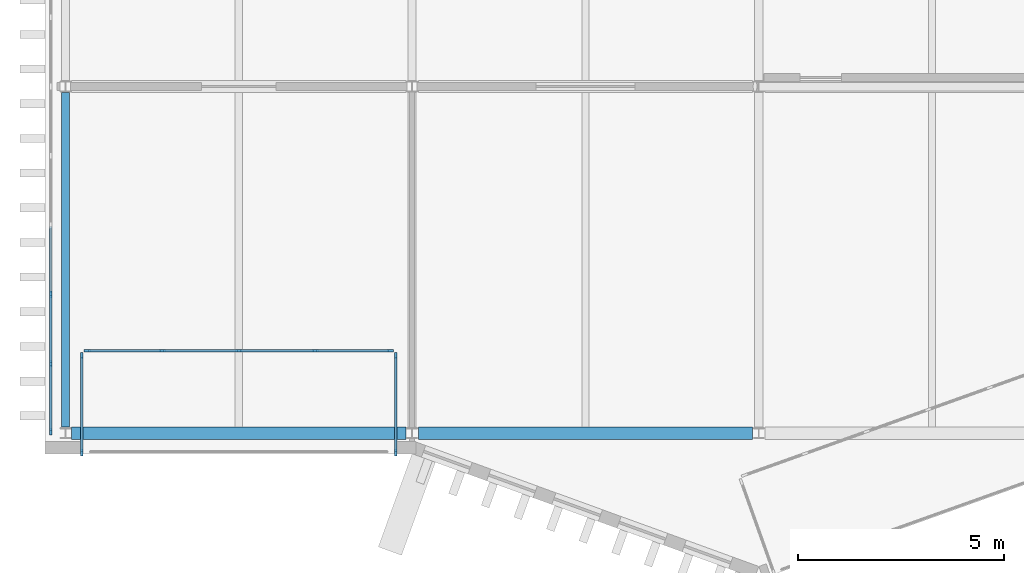
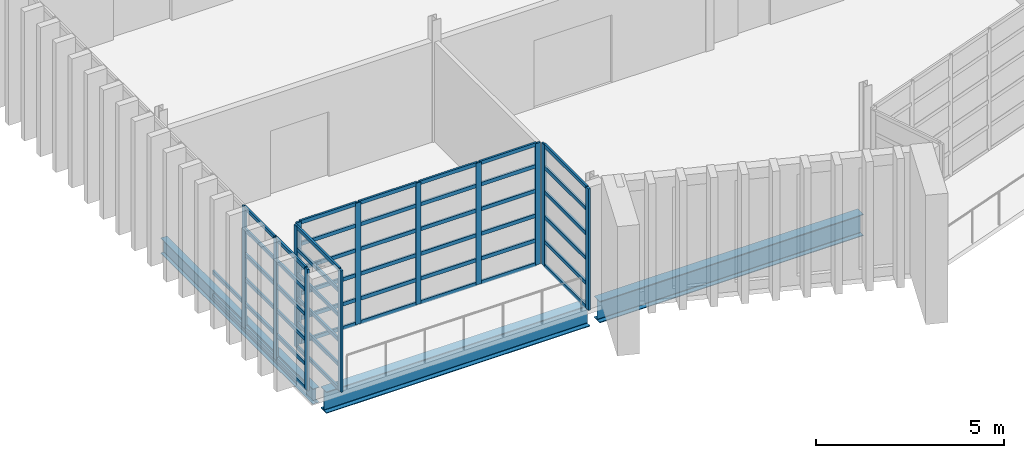
# One storey, part 13 of 88: 62 members, 3 beams, 4 elements without a shape of their own.
"""IFC4 building model written with IfcOpenShell, lengths in metres."""

from ifc_helpers import new_model, si_unit, direction, frame, origin, origin_2d, place, context, subcontext, project, spatial, rectangle, i_section, extrude, material, layer, layer_set, material_profile, profile_set, type_object, element, aggregate, save


model = new_model("IFC4")

# Units and contexts
model_context = context("Model", 3, precision=1e-05, world=origin(), true_north=direction((0.0, 1.0)))
body_context = subcontext(model_context, "Body", "Model", "MODEL_VIEW")
ifc_project = project(units=[si_unit("LENGTHUNIT", "METRE"), si_unit("AREAUNIT", "SQUARE_METRE"), si_unit("VOLUMEUNIT", "CUBIC_METRE"), si_unit("PLANEANGLEUNIT", "RADIAN"), si_unit("MASSUNIT", "GRAM", prefix="KILO")], contexts=[model_context])

# Site, building, storey
site_placement = place(None, origin())
site = spatial("IfcSite", under=ifc_project, at=site_placement, CompositionType="ELEMENT")
building_placement = place(site_placement, origin())
building = spatial("IfcBuilding", under=site, at=building_placement, Name="Cresset Court Congress Hotel", CompositionType="ELEMENT")
storey_placement = place(building_placement, frame((0.0, 0.0, 14.39990234375)))
storey = spatial("IfcBuildingStorey", under=building, at=storey_placement, Name="L03", CompositionType="ELEMENT", Elevation=14.39990234375)

# Curtain wall, members
ifc_material_1 = material(Name="Aluminium frame with double glazing", Category="aluminium")
ifc_layer = layer(ifc_material_1, 0.199951171875)
ifc_layer_set = layer_set([ifc_layer], Name="Glazed box curtain wall 1680 module")
curtain_wall_type = type_object("IfcCurtainWallType", Name="Glazed box curtain wall 1680 module", PredefinedType="NOTDEFINED", material=ifc_layer_set)
curtain_wall_1_placement = place(storey_placement, origin())
curtain_wall_1 = element("IfcCurtainWall", 1, at=curtain_wall_1_placement, inside=storey, type_object=curtain_wall_type, Name="Glazed box S0302 front", PredefinedType="NOTDEFINED")
ifc_material_2 = material(Name="Aluminium", Category="aluminium")
ifc_material_profile_1 = material_profile(ifc_material_2, rectangle(XDim=0.06005859375, YDim=0.159912109375, at=origin_2d()), Name="Box mullion 60x160")
ifc_profile_set_1 = profile_set([ifc_material_profile_1], Name="Aluminium")
member_type_1 = type_object("IfcMemberType", Name="Box mullion 60x160", PredefinedType="MULLION", material=ifc_profile_set_1)
member_1_placement = place(storey_placement, frame((8.929931640625, 2.0, 0.0), z_axis=(0.0, 0.0, 1.0), x_axis=(0.0, 1.0, 0.0)))
member_1 = element("IfcMember", 2, at=member_1_placement, type_object=member_type_1, Name="B-X1 mullion 1", PredefinedType="MULLION", context=body_context, shape_type="SweptSolid", body=[
    extrude(rectangle(XDim=0.06005859375, YDim=0.159912109375, at=origin_2d()), origin(), (0.0, 0.0, 1.0), 3.9501953125),
])
member_2_placement = place(storey_placement, frame((10.75, 2.0, 0.0), z_axis=(0.0, 0.0, 1.0), x_axis=(0.0, 1.0, 0.0)))
member_2 = element("IfcMember", 3, at=member_2_placement, type_object=member_type_1, Name="B-X1 mullion 2", PredefinedType="MULLION", context=body_context, shape_type="SweptSolid", body=[
    extrude(rectangle(XDim=0.06005859375, YDim=0.159912109375, at=origin_2d()), origin(), (0.0, 0.0, 1.0), 3.9501953125),
])
member_3_placement = place(storey_placement, frame((12.60009765625, 2.0, 0.0), z_axis=(0.0, 0.0, 1.0), x_axis=(0.0, 1.0, 0.0)))
member_3 = element("IfcMember", 4, at=member_3_placement, type_object=member_type_1, Name="B-X1 mullion 3", PredefinedType="MULLION", context=body_context, shape_type="SweptSolid", body=[
    extrude(rectangle(XDim=0.06005859375, YDim=0.159912109375, at=origin_2d()), origin(), (0.0, 0.0, 1.0), 3.9501953125),
])
member_4_placement = place(storey_placement, frame((14.449951171875, 2.0, 0.0), z_axis=(0.0, 0.0, 1.0), x_axis=(0.0, 1.0, 0.0)))
member_4 = element("IfcMember", 5, at=member_4_placement, type_object=member_type_1, Name="B-X1 mullion 4", PredefinedType="MULLION", context=body_context, shape_type="SweptSolid", body=[
    extrude(rectangle(XDim=0.06005859375, YDim=0.159912109375, at=origin_2d()), origin(), (0.0, 0.0, 1.0), 3.9501953125),
])
member_5_placement = place(storey_placement, frame((16.27001953125, 2.0, 0.0), z_axis=(0.0, 0.0, 1.0), x_axis=(0.0, 1.0, 0.0)))
member_5 = element("IfcMember", 6, at=member_5_placement, type_object=member_type_1, Name="B-X1 mullion 5", PredefinedType="MULLION", context=body_context, shape_type="SweptSolid", body=[
    extrude(rectangle(XDim=0.06005859375, YDim=0.159912109375, at=origin_2d()), origin(), (0.0, 0.0, 1.0), 3.9501953125),
])

curtain_wall_2_placement = place(storey_placement, origin())
curtain_wall_2 = element("IfcCurtainWall", 7, at=curtain_wall_2_placement, inside=storey, type_object=curtain_wall_type, Name="Glazed box S0302 side", PredefinedType="NOTDEFINED")
member_6_placement = place(storey_placement, frame((8.800048828125, -0.469970703125, 0.0), z_axis=(0.0, 0.0, 1.0), x_axis=(-1.0, 0.0, 0.0)))
member_6 = element("IfcMember", 8, at=member_6_placement, type_object=member_type_1, Name="B-X1 mullion 1", PredefinedType="MULLION", context=body_context, shape_type="SweptSolid", body=[
    extrude(rectangle(XDim=0.06005859375, YDim=0.159912109375, at=origin_2d()), origin(), (0.0, 0.0, 1.0), 3.9501953125),
])
member_7_placement = place(storey_placement, frame((8.800048828125, 1.8701171875, 0.0), z_axis=(0.0, 0.0, 1.0), x_axis=(-1.0, 0.0, 0.0)))
member_7 = element("IfcMember", 9, at=member_7_placement, type_object=member_type_1, Name="B-X1 mullion 2", PredefinedType="MULLION", context=body_context, shape_type="SweptSolid", body=[
    extrude(rectangle(XDim=0.06005859375, YDim=0.159912109375, at=origin_2d()), origin(), (0.0, 0.0, 1.0), 3.9501953125),
])

curtain_wall_3_placement = place(storey_placement, origin())
curtain_wall_3 = element("IfcCurtainWall", 10, at=curtain_wall_3_placement, inside=storey, type_object=curtain_wall_type, Name="Glazed box S0302 side", PredefinedType="NOTDEFINED")
member_8_placement = place(storey_placement, frame((16.39990234375, -0.469970703125, 0.0), z_axis=(0.0, 0.0, 1.0), x_axis=(-1.0, 0.0, 0.0)))
member_8 = element("IfcMember", 11, at=member_8_placement, type_object=member_type_1, Name="B-X1 mullion 1", PredefinedType="MULLION", context=body_context, shape_type="SweptSolid", body=[
    extrude(rectangle(XDim=0.06005859375, YDim=0.159912109375, at=origin_2d()), origin(), (0.0, 0.0, 1.0), 3.9501953125),
])
member_9_placement = place(storey_placement, frame((16.39990234375, 1.8701171875, 0.0), z_axis=(0.0, 0.0, 1.0), x_axis=(-1.0, 0.0, 0.0)))
member_9 = element("IfcMember", 12, at=member_9_placement, type_object=member_type_1, Name="B-X1 mullion 2", PredefinedType="MULLION", context=body_context, shape_type="SweptSolid", body=[
    extrude(rectangle(XDim=0.06005859375, YDim=0.159912109375, at=origin_2d()), origin(), (0.0, 0.0, 1.0), 3.9501953125),
])

curtain_wall_4_placement = place(storey_placement, origin())
curtain_wall_4 = element("IfcCurtainWall", 13, at=curtain_wall_4_placement, inside=storey, type_object=curtain_wall_type, Name="Foyer glazed front L03", PredefinedType="NOTDEFINED")
member_10_placement = place(storey_placement, frame((8.050048828125, 0.030029296875, 0.0), z_axis=(0.0, 0.0, 1.0), x_axis=(-1.0, 0.0, 0.0)))
member_10 = element("IfcMember", 14, at=member_10_placement, type_object=member_type_1, Name="B-X1 mullion 1", PredefinedType="MULLION", context=body_context, shape_type="SweptSolid", body=[
    extrude(rectangle(XDim=0.06005859375, YDim=0.159912109375, at=origin_2d()), origin(), (0.0, 0.0, 1.0), 3.9501953125),
])
member_11_placement = place(storey_placement, frame((8.050048828125, 1.679931640625, 0.0), z_axis=(0.0, 0.0, 1.0), x_axis=(-1.0, 0.0, 0.0)))
member_11 = element("IfcMember", 15, at=member_11_placement, type_object=member_type_1, Name="B-X1 mullion 2", PredefinedType="MULLION", context=body_context, shape_type="SweptSolid", body=[
    extrude(rectangle(XDim=0.06005859375, YDim=0.159912109375, at=origin_2d()), origin(), (0.0, 0.0, 1.0), 3.9501953125),
])
member_12_placement = place(storey_placement, frame((8.050048828125, 3.360107421875, 0.0), z_axis=(0.0, 0.0, 1.0), x_axis=(-1.0, 0.0, 0.0)))
member_12 = element("IfcMember", 16, at=member_12_placement, type_object=member_type_1, Name="B-X1 mullion 3", PredefinedType="MULLION", context=body_context, shape_type="SweptSolid", body=[
    extrude(rectangle(XDim=0.06005859375, YDim=0.159912109375, at=origin_2d()), origin(), (0.0, 0.0, 1.0), 3.9501953125),
])

# Member
ifc_material_3 = material(Name="Aluminium", Category="aluminium")
ifc_material_profile_2 = material_profile(ifc_material_3, rectangle(XDim=0.06005859375, YDim=0.1201171875, at=origin_2d()), Name="Box transom 60x120")
ifc_profile_set_2 = profile_set([ifc_material_profile_2], Name="Aluminium")
member_type_2 = type_object("IfcMemberType", Name="Box transom 60x120", PredefinedType="USERDEFINED", material=ifc_profile_set_2)
member_13_placement = place(storey_placement, frame((8.9599609375, 2.0, 0.030029296875), z_axis=(1.0, 0.0, 0.0), x_axis=(0.0, 1.0, 0.0)))
member_13 = element("IfcMember", 17, at=member_13_placement, type_object=member_type_2, Name="B-X1 transom 1.1", ObjectType="TRANSOM", PredefinedType="USERDEFINED", context=body_context, shape_type="SweptSolid", body=[
    extrude(rectangle(XDim=0.06005859375, YDim=0.1201171875, at=origin_2d()), origin(), (0.0, 0.0, 1.0), 1.760009765625),
])

member_14_placement = place(storey_placement, frame((8.9599609375, 2.0, 0.80517578125), z_axis=(1.0, 0.0, 0.0), x_axis=(0.0, 1.0, 0.0)))
member_14 = element("IfcMember", 18, at=member_14_placement, type_object=member_type_2, Name="B-X1 transom 1.2", ObjectType="TRANSOM", PredefinedType="USERDEFINED", context=body_context, shape_type="SweptSolid", body=[
    extrude(rectangle(XDim=0.06005859375, YDim=0.1201171875, at=origin_2d()), origin(), (0.0, 0.0, 1.0), 1.760009765625),
])

member_15_placement = place(storey_placement, frame((8.9599609375, 2.0, 1.610107421875), z_axis=(1.0, 0.0, 0.0), x_axis=(0.0, 1.0, 0.0)))
member_15 = element("IfcMember", 19, at=member_15_placement, type_object=member_type_2, Name="B-X1 transom 1.3", ObjectType="TRANSOM", PredefinedType="USERDEFINED", context=body_context, shape_type="SweptSolid", body=[
    extrude(rectangle(XDim=0.06005859375, YDim=0.1201171875, at=origin_2d()), origin(), (0.0, 0.0, 1.0), 1.760009765625),
])

member_16_placement = place(storey_placement, frame((8.9599609375, 2.0, 2.4150390625), z_axis=(1.0, 0.0, 0.0), x_axis=(0.0, 1.0, 0.0)))
member_16 = element("IfcMember", 20, at=member_16_placement, type_object=member_type_2, Name="B-X1 transom 1.4", ObjectType="TRANSOM", PredefinedType="USERDEFINED", context=body_context, shape_type="SweptSolid", body=[
    extrude(rectangle(XDim=0.06005859375, YDim=0.1201171875, at=origin_2d()), origin(), (0.0, 0.0, 1.0), 1.760009765625),
])

member_17_placement = place(storey_placement, frame((8.9599609375, 2.0, 3.22021484375), z_axis=(1.0, 0.0, 0.0), x_axis=(0.0, 1.0, 0.0)))
member_17 = element("IfcMember", 21, at=member_17_placement, type_object=member_type_2, Name="B-X1 transom 1.5", ObjectType="TRANSOM", PredefinedType="USERDEFINED", context=body_context, shape_type="SweptSolid", body=[
    extrude(rectangle(XDim=0.06005859375, YDim=0.1201171875, at=origin_2d()), origin(), (0.0, 0.0, 1.0), 1.760009765625),
])

member_18_placement = place(storey_placement, frame((8.9599609375, 2.0, 3.920166015625), z_axis=(1.0, 0.0, 0.0), x_axis=(0.0, 1.0, 0.0)))
member_18 = element("IfcMember", 22, at=member_18_placement, type_object=member_type_2, Name="B-X1 transom 1.6", ObjectType="TRANSOM", PredefinedType="USERDEFINED", context=body_context, shape_type="SweptSolid", body=[
    extrude(rectangle(XDim=0.06005859375, YDim=0.1201171875, at=origin_2d()), origin(), (0.0, 0.0, 1.0), 1.760009765625),
])

member_19_placement = place(storey_placement, frame((10.780029296875, 2.0, 0.030029296875), z_axis=(1.0, 0.0, 0.0), x_axis=(0.0, 1.0, 0.0)))
member_19 = element("IfcMember", 23, at=member_19_placement, type_object=member_type_2, Name="B-X1 transom 2.1", ObjectType="TRANSOM", PredefinedType="USERDEFINED", context=body_context, shape_type="SweptSolid", body=[
    extrude(rectangle(XDim=0.06005859375, YDim=0.1201171875, at=origin_2d()), origin(), (0.0, 0.0, 1.0), 1.7900390625),
])

member_20_placement = place(storey_placement, frame((10.780029296875, 2.0, 0.80517578125), z_axis=(1.0, 0.0, 0.0), x_axis=(0.0, 1.0, 0.0)))
member_20 = element("IfcMember", 24, at=member_20_placement, type_object=member_type_2, Name="B-X1 transom 2.2", ObjectType="TRANSOM", PredefinedType="USERDEFINED", context=body_context, shape_type="SweptSolid", body=[
    extrude(rectangle(XDim=0.06005859375, YDim=0.1201171875, at=origin_2d()), origin(), (0.0, 0.0, 1.0), 1.7900390625),
])

member_21_placement = place(storey_placement, frame((10.780029296875, 2.0, 1.610107421875), z_axis=(1.0, 0.0, 0.0), x_axis=(0.0, 1.0, 0.0)))
member_21 = element("IfcMember", 25, at=member_21_placement, type_object=member_type_2, Name="B-X1 transom 2.3", ObjectType="TRANSOM", PredefinedType="USERDEFINED", context=body_context, shape_type="SweptSolid", body=[
    extrude(rectangle(XDim=0.06005859375, YDim=0.1201171875, at=origin_2d()), origin(), (0.0, 0.0, 1.0), 1.7900390625),
])

member_22_placement = place(storey_placement, frame((10.780029296875, 2.0, 2.4150390625), z_axis=(1.0, 0.0, 0.0), x_axis=(0.0, 1.0, 0.0)))
member_22 = element("IfcMember", 26, at=member_22_placement, type_object=member_type_2, Name="B-X1 transom 2.4", ObjectType="TRANSOM", PredefinedType="USERDEFINED", context=body_context, shape_type="SweptSolid", body=[
    extrude(rectangle(XDim=0.06005859375, YDim=0.1201171875, at=origin_2d()), origin(), (0.0, 0.0, 1.0), 1.7900390625),
])

member_23_placement = place(storey_placement, frame((10.780029296875, 2.0, 3.22021484375), z_axis=(1.0, 0.0, 0.0), x_axis=(0.0, 1.0, 0.0)))
member_23 = element("IfcMember", 27, at=member_23_placement, type_object=member_type_2, Name="B-X1 transom 2.5", ObjectType="TRANSOM", PredefinedType="USERDEFINED", context=body_context, shape_type="SweptSolid", body=[
    extrude(rectangle(XDim=0.06005859375, YDim=0.1201171875, at=origin_2d()), origin(), (0.0, 0.0, 1.0), 1.7900390625),
])

member_24_placement = place(storey_placement, frame((10.780029296875, 2.0, 3.920166015625), z_axis=(1.0, 0.0, 0.0), x_axis=(0.0, 1.0, 0.0)))
member_24 = element("IfcMember", 28, at=member_24_placement, type_object=member_type_2, Name="B-X1 transom 2.6", ObjectType="TRANSOM", PredefinedType="USERDEFINED", context=body_context, shape_type="SweptSolid", body=[
    extrude(rectangle(XDim=0.06005859375, YDim=0.1201171875, at=origin_2d()), origin(), (0.0, 0.0, 1.0), 1.7900390625),
])

member_25_placement = place(storey_placement, frame((12.6298828125, 2.0, 0.030029296875), z_axis=(1.0, 0.0, 0.0), x_axis=(0.0, 1.0, 0.0)))
member_25 = element("IfcMember", 29, at=member_25_placement, type_object=member_type_2, Name="B-X1 transom 3.1", ObjectType="TRANSOM", PredefinedType="USERDEFINED", context=body_context, shape_type="SweptSolid", body=[
    extrude(rectangle(XDim=0.06005859375, YDim=0.1201171875, at=origin_2d()), origin(), (0.0, 0.0, 1.0), 1.7900390625),
])

member_26_placement = place(storey_placement, frame((12.6298828125, 2.0, 0.80517578125), z_axis=(1.0, 0.0, 0.0), x_axis=(0.0, 1.0, 0.0)))
member_26 = element("IfcMember", 30, at=member_26_placement, type_object=member_type_2, Name="B-X1 transom 3.2", ObjectType="TRANSOM", PredefinedType="USERDEFINED", context=body_context, shape_type="SweptSolid", body=[
    extrude(rectangle(XDim=0.06005859375, YDim=0.1201171875, at=origin_2d()), origin(), (0.0, 0.0, 1.0), 1.7900390625),
])

member_27_placement = place(storey_placement, frame((12.6298828125, 2.0, 1.610107421875), z_axis=(1.0, 0.0, 0.0), x_axis=(0.0, 1.0, 0.0)))
member_27 = element("IfcMember", 31, at=member_27_placement, type_object=member_type_2, Name="B-X1 transom 3.3", ObjectType="TRANSOM", PredefinedType="USERDEFINED", context=body_context, shape_type="SweptSolid", body=[
    extrude(rectangle(XDim=0.06005859375, YDim=0.1201171875, at=origin_2d()), origin(), (0.0, 0.0, 1.0), 1.7900390625),
])

member_28_placement = place(storey_placement, frame((12.6298828125, 2.0, 2.4150390625), z_axis=(1.0, 0.0, 0.0), x_axis=(0.0, 1.0, 0.0)))
member_28 = element("IfcMember", 32, at=member_28_placement, type_object=member_type_2, Name="B-X1 transom 3.4", ObjectType="TRANSOM", PredefinedType="USERDEFINED", context=body_context, shape_type="SweptSolid", body=[
    extrude(rectangle(XDim=0.06005859375, YDim=0.1201171875, at=origin_2d()), origin(), (0.0, 0.0, 1.0), 1.7900390625),
])

member_29_placement = place(storey_placement, frame((12.6298828125, 2.0, 3.22021484375), z_axis=(1.0, 0.0, 0.0), x_axis=(0.0, 1.0, 0.0)))
member_29 = element("IfcMember", 33, at=member_29_placement, type_object=member_type_2, Name="B-X1 transom 3.5", ObjectType="TRANSOM", PredefinedType="USERDEFINED", context=body_context, shape_type="SweptSolid", body=[
    extrude(rectangle(XDim=0.06005859375, YDim=0.1201171875, at=origin_2d()), origin(), (0.0, 0.0, 1.0), 1.7900390625),
])

member_30_placement = place(storey_placement, frame((12.6298828125, 2.0, 3.920166015625), z_axis=(1.0, 0.0, 0.0), x_axis=(0.0, 1.0, 0.0)))
member_30 = element("IfcMember", 34, at=member_30_placement, type_object=member_type_2, Name="B-X1 transom 3.6", ObjectType="TRANSOM", PredefinedType="USERDEFINED", context=body_context, shape_type="SweptSolid", body=[
    extrude(rectangle(XDim=0.06005859375, YDim=0.1201171875, at=origin_2d()), origin(), (0.0, 0.0, 1.0), 1.7900390625),
])

member_31_placement = place(storey_placement, frame((14.47998046875, 2.0, 0.030029296875), z_axis=(1.0, 0.0, 0.0), x_axis=(0.0, 1.0, 0.0)))
member_31 = element("IfcMember", 35, at=member_31_placement, type_object=member_type_2, Name="B-X1 transom 4.1", ObjectType="TRANSOM", PredefinedType="USERDEFINED", context=body_context, shape_type="SweptSolid", body=[
    extrude(rectangle(XDim=0.06005859375, YDim=0.1201171875, at=origin_2d()), origin(), (0.0, 0.0, 1.0), 1.760009765625),
])

member_32_placement = place(storey_placement, frame((14.47998046875, 2.0, 0.80517578125), z_axis=(1.0, 0.0, 0.0), x_axis=(0.0, 1.0, 0.0)))
member_32 = element("IfcMember", 36, at=member_32_placement, type_object=member_type_2, Name="B-X1 transom 4.2", ObjectType="TRANSOM", PredefinedType="USERDEFINED", context=body_context, shape_type="SweptSolid", body=[
    extrude(rectangle(XDim=0.06005859375, YDim=0.1201171875, at=origin_2d()), origin(), (0.0, 0.0, 1.0), 1.760009765625),
])

member_33_placement = place(storey_placement, frame((14.47998046875, 2.0, 1.610107421875), z_axis=(1.0, 0.0, 0.0), x_axis=(0.0, 1.0, 0.0)))
member_33 = element("IfcMember", 37, at=member_33_placement, type_object=member_type_2, Name="B-X1 transom 4.3", ObjectType="TRANSOM", PredefinedType="USERDEFINED", context=body_context, shape_type="SweptSolid", body=[
    extrude(rectangle(XDim=0.06005859375, YDim=0.1201171875, at=origin_2d()), origin(), (0.0, 0.0, 1.0), 1.760009765625),
])

member_34_placement = place(storey_placement, frame((14.47998046875, 2.0, 2.4150390625), z_axis=(1.0, 0.0, 0.0), x_axis=(0.0, 1.0, 0.0)))
member_34 = element("IfcMember", 38, at=member_34_placement, type_object=member_type_2, Name="B-X1 transom 4.4", ObjectType="TRANSOM", PredefinedType="USERDEFINED", context=body_context, shape_type="SweptSolid", body=[
    extrude(rectangle(XDim=0.06005859375, YDim=0.1201171875, at=origin_2d()), origin(), (0.0, 0.0, 1.0), 1.760009765625),
])

member_35_placement = place(storey_placement, frame((14.47998046875, 2.0, 3.22021484375), z_axis=(1.0, 0.0, 0.0), x_axis=(0.0, 1.0, 0.0)))
member_35 = element("IfcMember", 39, at=member_35_placement, type_object=member_type_2, Name="B-X1 transom 4.5", ObjectType="TRANSOM", PredefinedType="USERDEFINED", context=body_context, shape_type="SweptSolid", body=[
    extrude(rectangle(XDim=0.06005859375, YDim=0.1201171875, at=origin_2d()), origin(), (0.0, 0.0, 1.0), 1.760009765625),
])

member_36_placement = place(storey_placement, frame((14.47998046875, 2.0, 3.920166015625), z_axis=(1.0, 0.0, 0.0), x_axis=(0.0, 1.0, 0.0)))
member_36 = element("IfcMember", 40, at=member_36_placement, type_object=member_type_2, Name="B-X1 transom 4.6", ObjectType="TRANSOM", PredefinedType="USERDEFINED", context=body_context, shape_type="SweptSolid", body=[
    extrude(rectangle(XDim=0.06005859375, YDim=0.1201171875, at=origin_2d()), origin(), (0.0, 0.0, 1.0), 1.760009765625),
])

aggregate(curtain_wall_1, [member_1, member_2, member_3, member_4, member_5, member_13, member_14, member_15, member_16, member_17, member_18, member_19, member_20, member_21, member_22, member_23, member_24, member_25, member_26, member_27, member_28, member_29, member_30, member_31, member_32, member_33, member_34, member_35, member_36])

member_37_placement = place(storey_placement, frame((8.800048828125, -0.43994140625, 0.030029296875), z_axis=(0.0, 1.0, 0.0), x_axis=(-1.0, 0.0, 0.0)))
member_37 = element("IfcMember", 41, at=member_37_placement, type_object=member_type_2, Name="B-X1 transom 1.1", ObjectType="TRANSOM", PredefinedType="USERDEFINED", context=body_context, shape_type="SweptSolid", body=[
    extrude(rectangle(XDim=0.06005859375, YDim=0.1201171875, at=origin_2d()), origin(), (0.0, 0.0, 1.0), 2.280029296875),
])

member_38_placement = place(storey_placement, frame((8.800048828125, -0.43994140625, 0.80517578125), z_axis=(0.0, 1.0, 0.0), x_axis=(-1.0, 0.0, 0.0)))
member_38 = element("IfcMember", 42, at=member_38_placement, type_object=member_type_2, Name="B-X1 transom 1.2", ObjectType="TRANSOM", PredefinedType="USERDEFINED", context=body_context, shape_type="SweptSolid", body=[
    extrude(rectangle(XDim=0.06005859375, YDim=0.1201171875, at=origin_2d()), origin(), (0.0, 0.0, 1.0), 2.280029296875),
])

member_39_placement = place(storey_placement, frame((8.800048828125, -0.43994140625, 1.610107421875), z_axis=(0.0, 1.0, 0.0), x_axis=(-1.0, 0.0, 0.0)))
member_39 = element("IfcMember", 43, at=member_39_placement, type_object=member_type_2, Name="B-X1 transom 1.3", ObjectType="TRANSOM", PredefinedType="USERDEFINED", context=body_context, shape_type="SweptSolid", body=[
    extrude(rectangle(XDim=0.06005859375, YDim=0.1201171875, at=origin_2d()), origin(), (0.0, 0.0, 1.0), 2.280029296875),
])

member_40_placement = place(storey_placement, frame((8.800048828125, -0.43994140625, 2.4150390625), z_axis=(0.0, 1.0, 0.0), x_axis=(-1.0, 0.0, 0.0)))
member_40 = element("IfcMember", 44, at=member_40_placement, type_object=member_type_2, Name="B-X1 transom 1.4", ObjectType="TRANSOM", PredefinedType="USERDEFINED", context=body_context, shape_type="SweptSolid", body=[
    extrude(rectangle(XDim=0.06005859375, YDim=0.1201171875, at=origin_2d()), origin(), (0.0, 0.0, 1.0), 2.280029296875),
])

member_41_placement = place(storey_placement, frame((8.800048828125, -0.43994140625, 3.22021484375), z_axis=(0.0, 1.0, 0.0), x_axis=(-1.0, 0.0, 0.0)))
member_41 = element("IfcMember", 45, at=member_41_placement, type_object=member_type_2, Name="B-X1 transom 1.5", ObjectType="TRANSOM", PredefinedType="USERDEFINED", context=body_context, shape_type="SweptSolid", body=[
    extrude(rectangle(XDim=0.06005859375, YDim=0.1201171875, at=origin_2d()), origin(), (0.0, 0.0, 1.0), 2.280029296875),
])

member_42_placement = place(storey_placement, frame((8.800048828125, -0.43994140625, 3.920166015625), z_axis=(0.0, 1.0, 0.0), x_axis=(-1.0, 0.0, 0.0)))
member_42 = element("IfcMember", 46, at=member_42_placement, type_object=member_type_2, Name="B-X1 transom 1.6", ObjectType="TRANSOM", PredefinedType="USERDEFINED", context=body_context, shape_type="SweptSolid", body=[
    extrude(rectangle(XDim=0.06005859375, YDim=0.1201171875, at=origin_2d()), origin(), (0.0, 0.0, 1.0), 2.280029296875),
])

aggregate(curtain_wall_2, [member_6, member_7, member_37, member_38, member_39, member_40, member_41, member_42])

member_43_placement = place(storey_placement, frame((16.39990234375, -0.43994140625, 0.030029296875), z_axis=(0.0, 1.0, 0.0), x_axis=(-1.0, 0.0, 0.0)))
member_43 = element("IfcMember", 47, at=member_43_placement, type_object=member_type_2, Name="B-X1 transom 1.1", ObjectType="TRANSOM", PredefinedType="USERDEFINED", context=body_context, shape_type="SweptSolid", body=[
    extrude(rectangle(XDim=0.06005859375, YDim=0.1201171875, at=origin_2d()), origin(), (0.0, 0.0, 1.0), 2.280029296875),
])

member_44_placement = place(storey_placement, frame((16.39990234375, -0.43994140625, 0.80517578125), z_axis=(0.0, 1.0, 0.0), x_axis=(-1.0, 0.0, 0.0)))
member_44 = element("IfcMember", 48, at=member_44_placement, type_object=member_type_2, Name="B-X1 transom 1.2", ObjectType="TRANSOM", PredefinedType="USERDEFINED", context=body_context, shape_type="SweptSolid", body=[
    extrude(rectangle(XDim=0.06005859375, YDim=0.1201171875, at=origin_2d()), origin(), (0.0, 0.0, 1.0), 2.280029296875),
])

member_45_placement = place(storey_placement, frame((16.39990234375, -0.43994140625, 1.610107421875), z_axis=(0.0, 1.0, 0.0), x_axis=(-1.0, 0.0, 0.0)))
member_45 = element("IfcMember", 49, at=member_45_placement, type_object=member_type_2, Name="B-X1 transom 1.3", ObjectType="TRANSOM", PredefinedType="USERDEFINED", context=body_context, shape_type="SweptSolid", body=[
    extrude(rectangle(XDim=0.06005859375, YDim=0.1201171875, at=origin_2d()), origin(), (0.0, 0.0, 1.0), 2.280029296875),
])

member_46_placement = place(storey_placement, frame((16.39990234375, -0.43994140625, 2.4150390625), z_axis=(0.0, 1.0, 0.0), x_axis=(-1.0, 0.0, 0.0)))
member_46 = element("IfcMember", 50, at=member_46_placement, type_object=member_type_2, Name="B-X1 transom 1.4", ObjectType="TRANSOM", PredefinedType="USERDEFINED", context=body_context, shape_type="SweptSolid", body=[
    extrude(rectangle(XDim=0.06005859375, YDim=0.1201171875, at=origin_2d()), origin(), (0.0, 0.0, 1.0), 2.280029296875),
])

member_47_placement = place(storey_placement, frame((16.39990234375, -0.43994140625, 3.22021484375), z_axis=(0.0, 1.0, 0.0), x_axis=(-1.0, 0.0, 0.0)))
member_47 = element("IfcMember", 51, at=member_47_placement, type_object=member_type_2, Name="B-X1 transom 1.5", ObjectType="TRANSOM", PredefinedType="USERDEFINED", context=body_context, shape_type="SweptSolid", body=[
    extrude(rectangle(XDim=0.06005859375, YDim=0.1201171875, at=origin_2d()), origin(), (0.0, 0.0, 1.0), 2.280029296875),
])

member_48_placement = place(storey_placement, frame((16.39990234375, -0.43994140625, 3.920166015625), z_axis=(0.0, 1.0, 0.0), x_axis=(-1.0, 0.0, 0.0)))
member_48 = element("IfcMember", 52, at=member_48_placement, type_object=member_type_2, Name="B-X1 transom 1.6", ObjectType="TRANSOM", PredefinedType="USERDEFINED", context=body_context, shape_type="SweptSolid", body=[
    extrude(rectangle(XDim=0.06005859375, YDim=0.1201171875, at=origin_2d()), origin(), (0.0, 0.0, 1.0), 2.280029296875),
])

aggregate(curtain_wall_3, [member_8, member_9, member_43, member_44, member_45, member_46, member_47, member_48])

member_49_placement = place(storey_placement, frame((8.050048828125, 0.06005859375, 0.030029296875), z_axis=(0.0, 1.0, 0.0), x_axis=(-1.0, 0.0, 0.0)))
member_49 = element("IfcMember", 53, at=member_49_placement, type_object=member_type_2, Name="B-X1 transom 1.1", ObjectType="TRANSOM", PredefinedType="USERDEFINED", context=body_context, shape_type="SweptSolid", body=[
    extrude(rectangle(XDim=0.06005859375, YDim=0.1201171875, at=origin_2d()), origin(), (0.0, 0.0, 1.0), 1.58984375),
])

member_50_placement = place(storey_placement, frame((8.050048828125, 0.06005859375, 0.80517578125), z_axis=(0.0, 1.0, 0.0), x_axis=(-1.0, 0.0, 0.0)))
member_50 = element("IfcMember", 54, at=member_50_placement, type_object=member_type_2, Name="B-X1 transom 1.2", ObjectType="TRANSOM", PredefinedType="USERDEFINED", context=body_context, shape_type="SweptSolid", body=[
    extrude(rectangle(XDim=0.06005859375, YDim=0.1201171875, at=origin_2d()), origin(), (0.0, 0.0, 1.0), 1.58984375),
])

member_51_placement = place(storey_placement, frame((8.050048828125, 0.06005859375, 1.610107421875), z_axis=(0.0, 1.0, 0.0), x_axis=(-1.0, 0.0, 0.0)))
member_51 = element("IfcMember", 55, at=member_51_placement, type_object=member_type_2, Name="B-X1 transom 1.3", ObjectType="TRANSOM", PredefinedType="USERDEFINED", context=body_context, shape_type="SweptSolid", body=[
    extrude(rectangle(XDim=0.06005859375, YDim=0.1201171875, at=origin_2d()), origin(), (0.0, 0.0, 1.0), 1.58984375),
])

member_52_placement = place(storey_placement, frame((8.050048828125, 0.06005859375, 2.4150390625), z_axis=(0.0, 1.0, 0.0), x_axis=(-1.0, 0.0, 0.0)))
member_52 = element("IfcMember", 56, at=member_52_placement, type_object=member_type_2, Name="B-X1 transom 1.4", ObjectType="TRANSOM", PredefinedType="USERDEFINED", context=body_context, shape_type="SweptSolid", body=[
    extrude(rectangle(XDim=0.06005859375, YDim=0.1201171875, at=origin_2d()), origin(), (0.0, 0.0, 1.0), 1.58984375),
])

member_53_placement = place(storey_placement, frame((8.050048828125, 0.06005859375, 3.22021484375), z_axis=(0.0, 1.0, 0.0), x_axis=(-1.0, 0.0, 0.0)))
member_53 = element("IfcMember", 57, at=member_53_placement, type_object=member_type_2, Name="B-X1 transom 1.5", ObjectType="TRANSOM", PredefinedType="USERDEFINED", context=body_context, shape_type="SweptSolid", body=[
    extrude(rectangle(XDim=0.06005859375, YDim=0.1201171875, at=origin_2d()), origin(), (0.0, 0.0, 1.0), 1.58984375),
])

member_54_placement = place(storey_placement, frame((8.050048828125, 0.06005859375, 3.920166015625), z_axis=(0.0, 1.0, 0.0), x_axis=(-1.0, 0.0, 0.0)))
member_54 = element("IfcMember", 58, at=member_54_placement, type_object=member_type_2, Name="B-X1 transom 1.6", ObjectType="TRANSOM", PredefinedType="USERDEFINED", context=body_context, shape_type="SweptSolid", body=[
    extrude(rectangle(XDim=0.06005859375, YDim=0.1201171875, at=origin_2d()), origin(), (0.0, 0.0, 1.0), 1.58984375),
])

member_55_placement = place(storey_placement, frame((8.050048828125, 1.7099609375, 0.030029296875), z_axis=(0.0, 1.0, 0.0), x_axis=(-1.0, 0.0, 0.0)))
member_55 = element("IfcMember", 59, at=member_55_placement, type_object=member_type_2, Name="B-X1 transom 2.1", ObjectType="TRANSOM", PredefinedType="USERDEFINED", context=body_context, shape_type="SweptSolid", body=[
    extrude(rectangle(XDim=0.06005859375, YDim=0.1201171875, at=origin_2d()), origin(), (0.0, 0.0, 1.0), 1.6201171875),
])

member_56_placement = place(storey_placement, frame((8.050048828125, 1.7099609375, 0.80517578125), z_axis=(0.0, 1.0, 0.0), x_axis=(-1.0, 0.0, 0.0)))
member_56 = element("IfcMember", 60, at=member_56_placement, type_object=member_type_2, Name="B-X1 transom 2.2", ObjectType="TRANSOM", PredefinedType="USERDEFINED", context=body_context, shape_type="SweptSolid", body=[
    extrude(rectangle(XDim=0.06005859375, YDim=0.1201171875, at=origin_2d()), origin(), (0.0, 0.0, 1.0), 1.6201171875),
])

member_57_placement = place(storey_placement, frame((8.050048828125, 1.7099609375, 1.610107421875), z_axis=(0.0, 1.0, 0.0), x_axis=(-1.0, 0.0, 0.0)))
member_57 = element("IfcMember", 61, at=member_57_placement, type_object=member_type_2, Name="B-X1 transom 2.3", ObjectType="TRANSOM", PredefinedType="USERDEFINED", context=body_context, shape_type="SweptSolid", body=[
    extrude(rectangle(XDim=0.06005859375, YDim=0.1201171875, at=origin_2d()), origin(), (0.0, 0.0, 1.0), 1.6201171875),
])

member_58_placement = place(storey_placement, frame((8.050048828125, 1.7099609375, 2.4150390625), z_axis=(0.0, 1.0, 0.0), x_axis=(-1.0, 0.0, 0.0)))
member_58 = element("IfcMember", 62, at=member_58_placement, type_object=member_type_2, Name="B-X1 transom 2.4", ObjectType="TRANSOM", PredefinedType="USERDEFINED", context=body_context, shape_type="SweptSolid", body=[
    extrude(rectangle(XDim=0.06005859375, YDim=0.1201171875, at=origin_2d()), origin(), (0.0, 0.0, 1.0), 1.6201171875),
])

member_59_placement = place(storey_placement, frame((8.050048828125, 1.7099609375, 3.22021484375), z_axis=(0.0, 1.0, 0.0), x_axis=(-1.0, 0.0, 0.0)))
member_59 = element("IfcMember", 63, at=member_59_placement, type_object=member_type_2, Name="B-X1 transom 2.5", ObjectType="TRANSOM", PredefinedType="USERDEFINED", context=body_context, shape_type="SweptSolid", body=[
    extrude(rectangle(XDim=0.06005859375, YDim=0.1201171875, at=origin_2d()), origin(), (0.0, 0.0, 1.0), 1.6201171875),
])

member_60_placement = place(storey_placement, frame((8.050048828125, 1.7099609375, 3.920166015625), z_axis=(0.0, 1.0, 0.0), x_axis=(-1.0, 0.0, 0.0)))
member_60 = element("IfcMember", 64, at=member_60_placement, type_object=member_type_2, Name="B-X1 transom 2.6", ObjectType="TRANSOM", PredefinedType="USERDEFINED", context=body_context, shape_type="SweptSolid", body=[
    extrude(rectangle(XDim=0.06005859375, YDim=0.1201171875, at=origin_2d()), origin(), (0.0, 0.0, 1.0), 1.6201171875),
])

member_61_placement = place(storey_placement, frame((8.050048828125, 3.389892578125, 0.030029296875), z_axis=(0.0, 1.0, 0.0), x_axis=(-1.0, 0.0, 0.0)))
member_61 = element("IfcMember", 65, at=member_61_placement, type_object=member_type_2, Name="B-X1 transom 3.1", ObjectType="TRANSOM", PredefinedType="USERDEFINED", context=body_context, shape_type="SweptSolid", body=[
    extrude(rectangle(XDim=0.06005859375, YDim=0.1201171875, at=origin_2d()), origin(), (0.0, 0.0, 1.0), 1.6201171875),
])

member_62_placement = place(storey_placement, frame((8.050048828125, 3.389892578125, 0.80517578125), z_axis=(0.0, 1.0, 0.0), x_axis=(-1.0, 0.0, 0.0)))
member_62 = element("IfcMember", 66, at=member_62_placement, type_object=member_type_2, Name="B-X1 transom 3.2", ObjectType="TRANSOM", PredefinedType="USERDEFINED", context=body_context, shape_type="SweptSolid", body=[
    extrude(rectangle(XDim=0.06005859375, YDim=0.1201171875, at=origin_2d()), origin(), (0.0, 0.0, 1.0), 1.6201171875),
])

aggregate(curtain_wall_4, [member_10, member_11, member_12, member_49, member_50, member_51, member_52, member_53, member_54, member_55, member_56, member_57, member_58, member_59, member_60, member_61, member_62])

# Beams
ifc_material_4 = material(Name="Structural steel Q355B", Category="steel")
ifc_material_profile_3 = material_profile(ifc_material_4, i_section(OverallWidth=0.199951171875, OverallDepth=0.5, WebThickness=0.010009765625, FlangeThickness=0.01611328125, FilletRadius=0.012939453125, at=origin_2d()), Name="HN500x200x10x16")
ifc_profile_set_3 = profile_set([ifc_material_profile_3], Name="Structural steel Q355B")
beam_type_1 = type_object("IfcBeamType", Name="Steel beam HN500x200x10x16", PredefinedType="BEAM", material=ifc_profile_set_3)
beam_1_placement = place(storey_placement, frame((8.39990234375, 0.14990234375, -0.39990234375), z_axis=(0.0, 1.0, 0.0), x_axis=(-1.0, 0.0, 0.0)))
element("IfcBeam", 67, at=beam_1_placement, inside=storey, type_object=beam_type_1, Name="B.by.L03.02A", PredefinedType="BEAM", context=body_context, shape_type="SweptSolid", body=[
    extrude(i_section(OverallWidth=0.199951171875, OverallDepth=0.5, WebThickness=0.010009765625, FlangeThickness=0.01611328125, FilletRadius=0.012939453125, at=origin_2d()), origin(), (0.0, 0.0, 1.0), 8.10009765625),
])
ifc_material_5 = material(Name="Structural steel Q355B", Category="steel")
ifc_material_profile_4 = material_profile(ifc_material_5, i_section(OverallWidth=0.300048828125, OverallDepth=0.699951171875, WebThickness=0.012939453125, FlangeThickness=0.02392578125, FilletRadius=0.01806640625, at=origin_2d()), Name="HN700x300x13x24")
ifc_profile_set_4 = profile_set([ifc_material_profile_4], Name="Structural steel Q355B")
beam_type_2 = type_object("IfcBeamType", Name="Steel beam HN700x300x13x24", PredefinedType="BEAM", material=ifc_profile_set_4)
beam_2_placement = place(storey_placement, frame((8.550048828125, 0.0, -0.5), z_axis=(1.0, 0.0, 0.0), x_axis=(0.0, 1.0, 0.0)))
element("IfcBeam", 68, at=beam_2_placement, inside=storey, type_object=beam_type_2, Name="B.bx.L03.A02", PredefinedType="BEAM", context=body_context, shape_type="SweptSolid", body=[
    extrude(i_section(OverallWidth=0.300048828125, OverallDepth=0.699951171875, WebThickness=0.012939453125, FlangeThickness=0.02392578125, FilletRadius=0.01806640625, at=origin_2d()), origin(), (0.0, 0.0, 1.0), 8.099853515625),
])
beam_3_placement = place(storey_placement, frame((16.949951171875, 0.0, -0.5), z_axis=(1.0, 0.0, 0.0), x_axis=(0.0, 1.0, 0.0)))
element("IfcBeam", 69, at=beam_3_placement, inside=storey, type_object=beam_type_2, Name="B.bx.L03.A03", PredefinedType="BEAM", context=body_context, shape_type="SweptSolid", body=[
    extrude(i_section(OverallWidth=0.300048828125, OverallDepth=0.699951171875, WebThickness=0.012939453125, FlangeThickness=0.02392578125, FilletRadius=0.01806640625, at=origin_2d()), origin(), (0.0, 0.0, 1.0), 8.10009765625),
])

save(model, "model.ifc")
